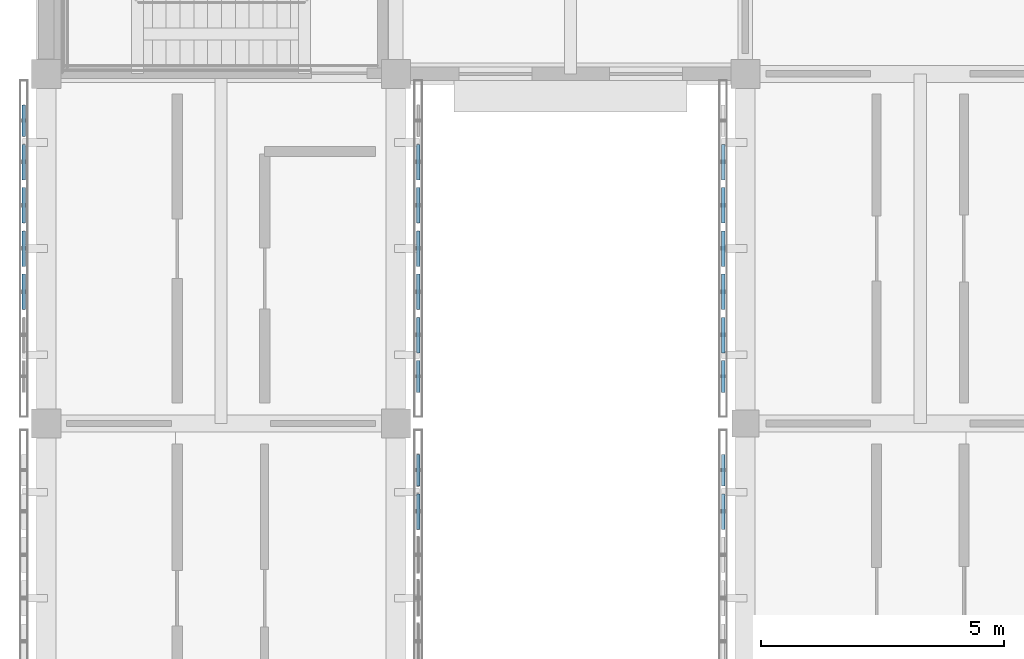
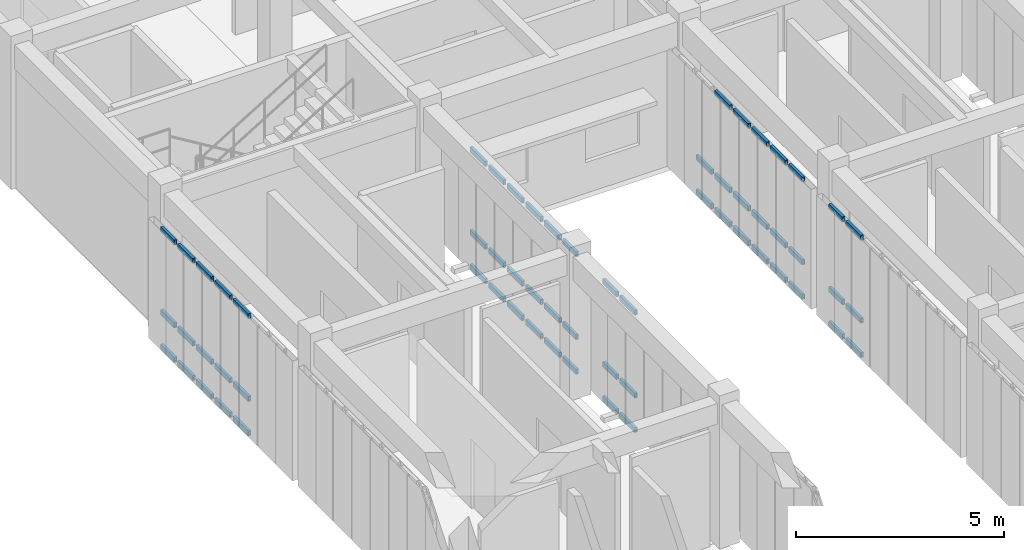
# One storey, part 72 of 171: 62 members, 5 elements without a shape of their own.
"""IFC4 building model written with IfcOpenShell, lengths in metres."""

from ifc_helpers import new_model, si_unit, direction, frame, origin, origin_2d, place, context, subcontext, project, spatial, hollow_rectangle, extrude, material, material_profile, profile_set, type_object, element, aggregate, save


model = new_model("IFC4")

# Units and contexts
model_context = context("Model", 3, precision=1e-05, world=origin(), true_north=direction((0.0, 1.0)))
body_context = subcontext(model_context, "Body", "Model", "MODEL_VIEW")
ifc_project = project(units=[si_unit("LENGTHUNIT", "METRE"), si_unit("AREAUNIT", "SQUARE_METRE"), si_unit("VOLUMEUNIT", "CUBIC_METRE"), si_unit("PLANEANGLEUNIT", "RADIAN"), si_unit("MASSUNIT", "GRAM", prefix="KILO")], contexts=[model_context])

# Site, building, storey
site_placement = place(None, origin())
site = spatial("IfcSite", under=ifc_project, at=site_placement, CompositionType="ELEMENT")
building_placement = place(site_placement, origin())
building = spatial("IfcBuilding", under=site, at=building_placement, Name="Aldebral Square Health Centre", CompositionType="ELEMENT")
storey_placement = place(building_placement, frame((0.0, 0.0, 4.5)))
storey = spatial("IfcBuildingStorey", under=building, at=storey_placement, Name="L01", CompositionType="ELEMENT", Elevation=4.5)

# Curtain wall, members
ifc_material_1 = material(Name="Aluminium and low-E solar glass", Category="aluminium")
curtain_wall_type = type_object("IfcCurtainWallType", Name="CW-FIN-SYS", PredefinedType="USERDEFINED", material=ifc_material_1)
curtain_wall_1_placement = place(storey_placement, origin())
curtain_wall_1 = element("IfcCurtainWall", 1, at=curtain_wall_1_placement, inside=storey, type_object=curtain_wall_type, Name="L01 V6 finned curtain wall L01-V6-00-02-E", ObjectType="SOLAR_CURTAIN_WALL", PredefinedType="USERDEFINED")
ifc_material_2 = material(Name="Anodised aluminium transom", Category="aluminium")
ifc_material_profile = material_profile(ifc_material_2, hollow_rectangle(XDim=0.074951171875, YDim=0.14990234375, WallThickness=0.00390625, at=origin_2d()), Name="CWT 75x150x4")
ifc_profile_set = profile_set([ifc_material_profile], Name="Anodised aluminium transom")
member_type = type_object("IfcMemberType", Name="CWT-STD", PredefinedType="USERDEFINED", material=ifc_profile_set)
member_1_placement = place(storey_placement, frame((7.659912109375, 19.417236328125, 0.03759765625), z_axis=(0.0, 1.0, 0.0), x_axis=(-1.0, 0.0, 0.0)))
member_1 = element("IfcMember", 2, at=member_1_placement, type_object=member_type, Name="CW1 transom 6.1", ObjectType="TRANSOM", PredefinedType="USERDEFINED", context=body_context, shape_type="SweptSolid", body=[
    extrude(hollow_rectangle(XDim=0.074951171875, YDim=0.14990234375, WallThickness=0.00390625, at=origin_2d()), origin(), (0.0, 0.0, 1.0), 0.7314453125),
])
member_2_placement = place(storey_placement, frame((7.659912109375, 19.417236328125, 1.050048828125), z_axis=(0.0, 1.0, 0.0), x_axis=(-1.0, 0.0, 0.0)))
member_2 = element("IfcMember", 3, at=member_2_placement, type_object=member_type, Name="CW1 transom 6.2", ObjectType="TRANSOM", PredefinedType="USERDEFINED", context=body_context, shape_type="SweptSolid", body=[
    extrude(hollow_rectangle(XDim=0.074951171875, YDim=0.14990234375, WallThickness=0.00390625, at=origin_2d()), origin(), (0.0, 0.0, 1.0), 0.7314453125),
])
member_3_placement = place(storey_placement, frame((7.659912109375, 19.417236328125, 3.482421875), z_axis=(0.0, 1.0, 0.0), x_axis=(-1.0, 0.0, 0.0)))
member_3 = element("IfcMember", 4, at=member_3_placement, type_object=member_type, Name="CW1 transom 6.3", ObjectType="TRANSOM", PredefinedType="USERDEFINED", context=body_context, shape_type="SweptSolid", body=[
    extrude(hollow_rectangle(XDim=0.074951171875, YDim=0.14990234375, WallThickness=0.00390625, at=origin_2d()), origin(), (0.0, 0.0, 1.0), 0.7314453125),
])
member_4_placement = place(storey_placement, frame((7.659912109375, 20.30859375, 0.03759765625), z_axis=(0.0, 1.0, 0.0), x_axis=(-1.0, 0.0, 0.0)))
member_4 = element("IfcMember", 5, at=member_4_placement, type_object=member_type, Name="CW1 transom 7.1", ObjectType="TRANSOM", PredefinedType="USERDEFINED", context=body_context, shape_type="SweptSolid", body=[
    extrude(hollow_rectangle(XDim=0.074951171875, YDim=0.14990234375, WallThickness=0.00390625, at=origin_2d()), origin(), (0.0, 0.0, 1.0), 0.6513671875),
])
member_5_placement = place(storey_placement, frame((7.659912109375, 20.30859375, 1.050048828125), z_axis=(0.0, 1.0, 0.0), x_axis=(-1.0, 0.0, 0.0)))
member_5 = element("IfcMember", 6, at=member_5_placement, type_object=member_type, Name="CW1 transom 7.2", ObjectType="TRANSOM", PredefinedType="USERDEFINED", context=body_context, shape_type="SweptSolid", body=[
    extrude(hollow_rectangle(XDim=0.074951171875, YDim=0.14990234375, WallThickness=0.00390625, at=origin_2d()), origin(), (0.0, 0.0, 1.0), 0.6513671875),
])
member_6_placement = place(storey_placement, frame((7.659912109375, 20.30859375, 3.482421875), z_axis=(0.0, 1.0, 0.0), x_axis=(-1.0, 0.0, 0.0)))
member_6 = element("IfcMember", 7, at=member_6_placement, type_object=member_type, Name="CW1 transom 7.3", ObjectType="TRANSOM", PredefinedType="USERDEFINED", context=body_context, shape_type="SweptSolid", body=[
    extrude(hollow_rectangle(XDim=0.074951171875, YDim=0.14990234375, WallThickness=0.00390625, at=origin_2d()), origin(), (0.0, 0.0, 1.0), 0.6513671875),
])
aggregate(curtain_wall_1, [member_1, member_2, member_3, member_4, member_5, member_6])

curtain_wall_2_placement = place(storey_placement, origin())
curtain_wall_2 = element("IfcCurtainWall", 8, at=curtain_wall_2_placement, inside=storey, type_object=curtain_wall_type, Name="L01 V6 finned curtain wall L01-V6-00-03-W", ObjectType="SOLAR_CURTAIN_WALL", PredefinedType="USERDEFINED")
member_7_placement = place(storey_placement, frame((-0.4599609375, 28.159912109375, 0.03759765625), z_axis=(0.0, -1.0, 0.0), x_axis=(1.0, 0.0, 0.0)))
member_7 = element("IfcMember", 9, at=member_7_placement, type_object=member_type, Name="CW1 transom 1.1", ObjectType="TRANSOM", PredefinedType="USERDEFINED", context=body_context, shape_type="SweptSolid", body=[
    extrude(hollow_rectangle(XDim=0.074951171875, YDim=0.14990234375, WallThickness=0.00390625, at=origin_2d()), origin(), (0.0, 0.0, 1.0), 0.6513671875),
])
member_8_placement = place(storey_placement, frame((-0.4599609375, 28.159912109375, 1.050048828125), z_axis=(0.0, -1.0, 0.0), x_axis=(1.0, 0.0, 0.0)))
member_8 = element("IfcMember", 10, at=member_8_placement, type_object=member_type, Name="CW1 transom 1.2", ObjectType="TRANSOM", PredefinedType="USERDEFINED", context=body_context, shape_type="SweptSolid", body=[
    extrude(hollow_rectangle(XDim=0.074951171875, YDim=0.14990234375, WallThickness=0.00390625, at=origin_2d()), origin(), (0.0, 0.0, 1.0), 0.6513671875),
])
member_9_placement = place(storey_placement, frame((-0.4599609375, 28.159912109375, 3.482421875), z_axis=(0.0, -1.0, 0.0), x_axis=(1.0, 0.0, 0.0)))
member_9 = element("IfcMember", 11, at=member_9_placement, type_object=member_type, Name="CW1 transom 1.3", ObjectType="TRANSOM", PredefinedType="USERDEFINED", context=body_context, shape_type="SweptSolid", body=[
    extrude(hollow_rectangle(XDim=0.074951171875, YDim=0.14990234375, WallThickness=0.00390625, at=origin_2d()), origin(), (0.0, 0.0, 1.0), 0.6513671875),
])
member_10_placement = place(storey_placement, frame((-0.4599609375, 27.3486328125, 0.03759765625), z_axis=(0.0, -1.0, 0.0), x_axis=(1.0, 0.0, 0.0)))
member_10 = element("IfcMember", 12, at=member_10_placement, type_object=member_type, Name="CW1 transom 2.1", ObjectType="TRANSOM", PredefinedType="USERDEFINED", context=body_context, shape_type="SweptSolid", body=[
    extrude(hollow_rectangle(XDim=0.074951171875, YDim=0.14990234375, WallThickness=0.00390625, at=origin_2d()), origin(), (0.0, 0.0, 1.0), 0.7314453125),
])
member_11_placement = place(storey_placement, frame((-0.4599609375, 27.3486328125, 1.050048828125), z_axis=(0.0, -1.0, 0.0), x_axis=(1.0, 0.0, 0.0)))
member_11 = element("IfcMember", 13, at=member_11_placement, type_object=member_type, Name="CW1 transom 2.2", ObjectType="TRANSOM", PredefinedType="USERDEFINED", context=body_context, shape_type="SweptSolid", body=[
    extrude(hollow_rectangle(XDim=0.074951171875, YDim=0.14990234375, WallThickness=0.00390625, at=origin_2d()), origin(), (0.0, 0.0, 1.0), 0.7314453125),
])
member_12_placement = place(storey_placement, frame((-0.4599609375, 27.3486328125, 3.482421875), z_axis=(0.0, -1.0, 0.0), x_axis=(1.0, 0.0, 0.0)))
member_12 = element("IfcMember", 14, at=member_12_placement, type_object=member_type, Name="CW1 transom 2.3", ObjectType="TRANSOM", PredefinedType="USERDEFINED", context=body_context, shape_type="SweptSolid", body=[
    extrude(hollow_rectangle(XDim=0.074951171875, YDim=0.14990234375, WallThickness=0.00390625, at=origin_2d()), origin(), (0.0, 0.0, 1.0), 0.7314453125),
])
member_13_placement = place(storey_placement, frame((-0.4599609375, 26.45703125, 0.03759765625), z_axis=(0.0, -1.0, 0.0), x_axis=(1.0, 0.0, 0.0)))
member_13 = element("IfcMember", 15, at=member_13_placement, type_object=member_type, Name="CW1 transom 3.1", ObjectType="TRANSOM", PredefinedType="USERDEFINED", context=body_context, shape_type="SweptSolid", body=[
    extrude(hollow_rectangle(XDim=0.074951171875, YDim=0.14990234375, WallThickness=0.00390625, at=origin_2d()), origin(), (0.0, 0.0, 1.0), 0.731201171875),
])
member_14_placement = place(storey_placement, frame((-0.4599609375, 26.45703125, 1.050048828125), z_axis=(0.0, -1.0, 0.0), x_axis=(1.0, 0.0, 0.0)))
member_14 = element("IfcMember", 16, at=member_14_placement, type_object=member_type, Name="CW1 transom 3.2", ObjectType="TRANSOM", PredefinedType="USERDEFINED", context=body_context, shape_type="SweptSolid", body=[
    extrude(hollow_rectangle(XDim=0.074951171875, YDim=0.14990234375, WallThickness=0.00390625, at=origin_2d()), origin(), (0.0, 0.0, 1.0), 0.731201171875),
])
member_15_placement = place(storey_placement, frame((-0.4599609375, 26.45703125, 3.482421875), z_axis=(0.0, -1.0, 0.0), x_axis=(1.0, 0.0, 0.0)))
member_15 = element("IfcMember", 17, at=member_15_placement, type_object=member_type, Name="CW1 transom 3.3", ObjectType="TRANSOM", PredefinedType="USERDEFINED", context=body_context, shape_type="SweptSolid", body=[
    extrude(hollow_rectangle(XDim=0.074951171875, YDim=0.14990234375, WallThickness=0.00390625, at=origin_2d()), origin(), (0.0, 0.0, 1.0), 0.731201171875),
])
member_16_placement = place(storey_placement, frame((-0.4599609375, 25.565673828125, 0.03759765625), z_axis=(0.0, -1.0, 0.0), x_axis=(1.0, 0.0, 0.0)))
member_16 = element("IfcMember", 18, at=member_16_placement, type_object=member_type, Name="CW1 transom 4.1", ObjectType="TRANSOM", PredefinedType="USERDEFINED", context=body_context, shape_type="SweptSolid", body=[
    extrude(hollow_rectangle(XDim=0.074951171875, YDim=0.14990234375, WallThickness=0.00390625, at=origin_2d()), origin(), (0.0, 0.0, 1.0), 0.7314453125),
])
member_17_placement = place(storey_placement, frame((-0.4599609375, 25.565673828125, 1.050048828125), z_axis=(0.0, -1.0, 0.0), x_axis=(1.0, 0.0, 0.0)))
member_17 = element("IfcMember", 19, at=member_17_placement, type_object=member_type, Name="CW1 transom 4.2", ObjectType="TRANSOM", PredefinedType="USERDEFINED", context=body_context, shape_type="SweptSolid", body=[
    extrude(hollow_rectangle(XDim=0.074951171875, YDim=0.14990234375, WallThickness=0.00390625, at=origin_2d()), origin(), (0.0, 0.0, 1.0), 0.7314453125),
])
member_18_placement = place(storey_placement, frame((-0.4599609375, 25.565673828125, 3.482421875), z_axis=(0.0, -1.0, 0.0), x_axis=(1.0, 0.0, 0.0)))
member_18 = element("IfcMember", 20, at=member_18_placement, type_object=member_type, Name="CW1 transom 4.3", ObjectType="TRANSOM", PredefinedType="USERDEFINED", context=body_context, shape_type="SweptSolid", body=[
    extrude(hollow_rectangle(XDim=0.074951171875, YDim=0.14990234375, WallThickness=0.00390625, at=origin_2d()), origin(), (0.0, 0.0, 1.0), 0.7314453125),
])
member_19_placement = place(storey_placement, frame((-0.4599609375, 24.67431640625, 0.03759765625), z_axis=(0.0, -1.0, 0.0), x_axis=(1.0, 0.0, 0.0)))
member_19 = element("IfcMember", 21, at=member_19_placement, type_object=member_type, Name="CW1 transom 5.1", ObjectType="TRANSOM", PredefinedType="USERDEFINED", context=body_context, shape_type="SweptSolid", body=[
    extrude(hollow_rectangle(XDim=0.074951171875, YDim=0.14990234375, WallThickness=0.00390625, at=origin_2d()), origin(), (0.0, 0.0, 1.0), 0.7314453125),
])
member_20_placement = place(storey_placement, frame((-0.4599609375, 24.67431640625, 1.050048828125), z_axis=(0.0, -1.0, 0.0), x_axis=(1.0, 0.0, 0.0)))
member_20 = element("IfcMember", 22, at=member_20_placement, type_object=member_type, Name="CW1 transom 5.2", ObjectType="TRANSOM", PredefinedType="USERDEFINED", context=body_context, shape_type="SweptSolid", body=[
    extrude(hollow_rectangle(XDim=0.074951171875, YDim=0.14990234375, WallThickness=0.00390625, at=origin_2d()), origin(), (0.0, 0.0, 1.0), 0.7314453125),
])
member_21_placement = place(storey_placement, frame((-0.4599609375, 24.67431640625, 3.482421875), z_axis=(0.0, -1.0, 0.0), x_axis=(1.0, 0.0, 0.0)))
member_21 = element("IfcMember", 23, at=member_21_placement, type_object=member_type, Name="CW1 transom 5.3", ObjectType="TRANSOM", PredefinedType="USERDEFINED", context=body_context, shape_type="SweptSolid", body=[
    extrude(hollow_rectangle(XDim=0.074951171875, YDim=0.14990234375, WallThickness=0.00390625, at=origin_2d()), origin(), (0.0, 0.0, 1.0), 0.7314453125),
])
aggregate(curtain_wall_2, [member_7, member_8, member_9, member_10, member_11, member_12, member_13, member_14, member_15, member_16, member_17, member_18, member_19, member_20, member_21])

curtain_wall_3_placement = place(storey_placement, origin())
curtain_wall_3 = element("IfcCurtainWall", 24, at=curtain_wall_3_placement, inside=storey, type_object=curtain_wall_type, Name="L01 V6 finned curtain wall L01-V6-00-03-E", ObjectType="SOLAR_CURTAIN_WALL", PredefinedType="USERDEFINED")
member_22_placement = place(storey_placement, frame((7.659912109375, 22.239990234375, 0.03759765625), z_axis=(0.0, 1.0, 0.0), x_axis=(-1.0, 0.0, 0.0)))
member_22 = element("IfcMember", 25, at=member_22_placement, type_object=member_type, Name="CW1 transom 1.1", ObjectType="TRANSOM", PredefinedType="USERDEFINED", context=body_context, shape_type="SweptSolid", body=[
    extrude(hollow_rectangle(XDim=0.074951171875, YDim=0.14990234375, WallThickness=0.00390625, at=origin_2d()), origin(), (0.0, 0.0, 1.0), 0.6513671875),
])
member_23_placement = place(storey_placement, frame((7.659912109375, 22.239990234375, 1.050048828125), z_axis=(0.0, 1.0, 0.0), x_axis=(-1.0, 0.0, 0.0)))
member_23 = element("IfcMember", 26, at=member_23_placement, type_object=member_type, Name="CW1 transom 1.2", ObjectType="TRANSOM", PredefinedType="USERDEFINED", context=body_context, shape_type="SweptSolid", body=[
    extrude(hollow_rectangle(XDim=0.074951171875, YDim=0.14990234375, WallThickness=0.00390625, at=origin_2d()), origin(), (0.0, 0.0, 1.0), 0.6513671875),
])
member_24_placement = place(storey_placement, frame((7.659912109375, 22.239990234375, 3.482421875), z_axis=(0.0, 1.0, 0.0), x_axis=(-1.0, 0.0, 0.0)))
member_24 = element("IfcMember", 27, at=member_24_placement, type_object=member_type, Name="CW1 transom 1.3", ObjectType="TRANSOM", PredefinedType="USERDEFINED", context=body_context, shape_type="SweptSolid", body=[
    extrude(hollow_rectangle(XDim=0.074951171875, YDim=0.14990234375, WallThickness=0.00390625, at=origin_2d()), origin(), (0.0, 0.0, 1.0), 0.6513671875),
])
member_25_placement = place(storey_placement, frame((7.659912109375, 23.051513671875, 0.03759765625), z_axis=(0.0, 1.0, 0.0), x_axis=(-1.0, 0.0, 0.0)))
member_25 = element("IfcMember", 28, at=member_25_placement, type_object=member_type, Name="CW1 transom 2.1", ObjectType="TRANSOM", PredefinedType="USERDEFINED", context=body_context, shape_type="SweptSolid", body=[
    extrude(hollow_rectangle(XDim=0.074951171875, YDim=0.14990234375, WallThickness=0.00390625, at=origin_2d()), origin(), (0.0, 0.0, 1.0), 0.7314453125),
])
member_26_placement = place(storey_placement, frame((7.659912109375, 23.051513671875, 1.050048828125), z_axis=(0.0, 1.0, 0.0), x_axis=(-1.0, 0.0, 0.0)))
member_26 = element("IfcMember", 29, at=member_26_placement, type_object=member_type, Name="CW1 transom 2.2", ObjectType="TRANSOM", PredefinedType="USERDEFINED", context=body_context, shape_type="SweptSolid", body=[
    extrude(hollow_rectangle(XDim=0.074951171875, YDim=0.14990234375, WallThickness=0.00390625, at=origin_2d()), origin(), (0.0, 0.0, 1.0), 0.7314453125),
])
member_27_placement = place(storey_placement, frame((7.659912109375, 23.051513671875, 3.482421875), z_axis=(0.0, 1.0, 0.0), x_axis=(-1.0, 0.0, 0.0)))
member_27 = element("IfcMember", 30, at=member_27_placement, type_object=member_type, Name="CW1 transom 2.3", ObjectType="TRANSOM", PredefinedType="USERDEFINED", context=body_context, shape_type="SweptSolid", body=[
    extrude(hollow_rectangle(XDim=0.074951171875, YDim=0.14990234375, WallThickness=0.00390625, at=origin_2d()), origin(), (0.0, 0.0, 1.0), 0.7314453125),
])
member_28_placement = place(storey_placement, frame((7.659912109375, 23.94287109375, 0.03759765625), z_axis=(0.0, 1.0, 0.0), x_axis=(-1.0, 0.0, 0.0)))
member_28 = element("IfcMember", 31, at=member_28_placement, type_object=member_type, Name="CW1 transom 3.1", ObjectType="TRANSOM", PredefinedType="USERDEFINED", context=body_context, shape_type="SweptSolid", body=[
    extrude(hollow_rectangle(XDim=0.074951171875, YDim=0.14990234375, WallThickness=0.00390625, at=origin_2d()), origin(), (0.0, 0.0, 1.0), 0.7314453125),
])
member_29_placement = place(storey_placement, frame((7.659912109375, 23.94287109375, 1.050048828125), z_axis=(0.0, 1.0, 0.0), x_axis=(-1.0, 0.0, 0.0)))
member_29 = element("IfcMember", 32, at=member_29_placement, type_object=member_type, Name="CW1 transom 3.2", ObjectType="TRANSOM", PredefinedType="USERDEFINED", context=body_context, shape_type="SweptSolid", body=[
    extrude(hollow_rectangle(XDim=0.074951171875, YDim=0.14990234375, WallThickness=0.00390625, at=origin_2d()), origin(), (0.0, 0.0, 1.0), 0.7314453125),
])
member_30_placement = place(storey_placement, frame((7.659912109375, 23.94287109375, 3.482421875), z_axis=(0.0, 1.0, 0.0), x_axis=(-1.0, 0.0, 0.0)))
member_30 = element("IfcMember", 33, at=member_30_placement, type_object=member_type, Name="CW1 transom 3.3", ObjectType="TRANSOM", PredefinedType="USERDEFINED", context=body_context, shape_type="SweptSolid", body=[
    extrude(hollow_rectangle(XDim=0.074951171875, YDim=0.14990234375, WallThickness=0.00390625, at=origin_2d()), origin(), (0.0, 0.0, 1.0), 0.7314453125),
])
member_31_placement = place(storey_placement, frame((7.659912109375, 24.834228515625, 0.03759765625), z_axis=(0.0, 1.0, 0.0), x_axis=(-1.0, 0.0, 0.0)))
member_31 = element("IfcMember", 34, at=member_31_placement, type_object=member_type, Name="CW1 transom 4.1", ObjectType="TRANSOM", PredefinedType="USERDEFINED", context=body_context, shape_type="SweptSolid", body=[
    extrude(hollow_rectangle(XDim=0.074951171875, YDim=0.14990234375, WallThickness=0.00390625, at=origin_2d()), origin(), (0.0, 0.0, 1.0), 0.7314453125),
])
member_32_placement = place(storey_placement, frame((7.659912109375, 24.834228515625, 1.050048828125), z_axis=(0.0, 1.0, 0.0), x_axis=(-1.0, 0.0, 0.0)))
member_32 = element("IfcMember", 35, at=member_32_placement, type_object=member_type, Name="CW1 transom 4.2", ObjectType="TRANSOM", PredefinedType="USERDEFINED", context=body_context, shape_type="SweptSolid", body=[
    extrude(hollow_rectangle(XDim=0.074951171875, YDim=0.14990234375, WallThickness=0.00390625, at=origin_2d()), origin(), (0.0, 0.0, 1.0), 0.7314453125),
])
member_33_placement = place(storey_placement, frame((7.659912109375, 24.834228515625, 3.482421875), z_axis=(0.0, 1.0, 0.0), x_axis=(-1.0, 0.0, 0.0)))
member_33 = element("IfcMember", 36, at=member_33_placement, type_object=member_type, Name="CW1 transom 4.3", ObjectType="TRANSOM", PredefinedType="USERDEFINED", context=body_context, shape_type="SweptSolid", body=[
    extrude(hollow_rectangle(XDim=0.074951171875, YDim=0.14990234375, WallThickness=0.00390625, at=origin_2d()), origin(), (0.0, 0.0, 1.0), 0.7314453125),
])
member_34_placement = place(storey_placement, frame((7.659912109375, 25.725830078125, 0.03759765625), z_axis=(0.0, 1.0, 0.0), x_axis=(-1.0, 0.0, 0.0)))
member_34 = element("IfcMember", 37, at=member_34_placement, type_object=member_type, Name="CW1 transom 5.1", ObjectType="TRANSOM", PredefinedType="USERDEFINED", context=body_context, shape_type="SweptSolid", body=[
    extrude(hollow_rectangle(XDim=0.074951171875, YDim=0.14990234375, WallThickness=0.00390625, at=origin_2d()), origin(), (0.0, 0.0, 1.0), 0.731201171875),
])
member_35_placement = place(storey_placement, frame((7.659912109375, 25.725830078125, 1.050048828125), z_axis=(0.0, 1.0, 0.0), x_axis=(-1.0, 0.0, 0.0)))
member_35 = element("IfcMember", 38, at=member_35_placement, type_object=member_type, Name="CW1 transom 5.2", ObjectType="TRANSOM", PredefinedType="USERDEFINED", context=body_context, shape_type="SweptSolid", body=[
    extrude(hollow_rectangle(XDim=0.074951171875, YDim=0.14990234375, WallThickness=0.00390625, at=origin_2d()), origin(), (0.0, 0.0, 1.0), 0.731201171875),
])
member_36_placement = place(storey_placement, frame((7.659912109375, 25.725830078125, 3.482421875), z_axis=(0.0, 1.0, 0.0), x_axis=(-1.0, 0.0, 0.0)))
member_36 = element("IfcMember", 39, at=member_36_placement, type_object=member_type, Name="CW1 transom 5.3", ObjectType="TRANSOM", PredefinedType="USERDEFINED", context=body_context, shape_type="SweptSolid", body=[
    extrude(hollow_rectangle(XDim=0.074951171875, YDim=0.14990234375, WallThickness=0.00390625, at=origin_2d()), origin(), (0.0, 0.0, 1.0), 0.731201171875),
])
member_37_placement = place(storey_placement, frame((7.659912109375, 26.6171875, 0.03759765625), z_axis=(0.0, 1.0, 0.0), x_axis=(-1.0, 0.0, 0.0)))
member_37 = element("IfcMember", 40, at=member_37_placement, type_object=member_type, Name="CW1 transom 6.1", ObjectType="TRANSOM", PredefinedType="USERDEFINED", context=body_context, shape_type="SweptSolid", body=[
    extrude(hollow_rectangle(XDim=0.074951171875, YDim=0.14990234375, WallThickness=0.00390625, at=origin_2d()), origin(), (0.0, 0.0, 1.0), 0.7314453125),
])
member_38_placement = place(storey_placement, frame((7.659912109375, 26.6171875, 1.050048828125), z_axis=(0.0, 1.0, 0.0), x_axis=(-1.0, 0.0, 0.0)))
member_38 = element("IfcMember", 41, at=member_38_placement, type_object=member_type, Name="CW1 transom 6.2", ObjectType="TRANSOM", PredefinedType="USERDEFINED", context=body_context, shape_type="SweptSolid", body=[
    extrude(hollow_rectangle(XDim=0.074951171875, YDim=0.14990234375, WallThickness=0.00390625, at=origin_2d()), origin(), (0.0, 0.0, 1.0), 0.7314453125),
])
member_39_placement = place(storey_placement, frame((7.659912109375, 26.6171875, 3.482421875), z_axis=(0.0, 1.0, 0.0), x_axis=(-1.0, 0.0, 0.0)))
member_39 = element("IfcMember", 42, at=member_39_placement, type_object=member_type, Name="CW1 transom 6.3", ObjectType="TRANSOM", PredefinedType="USERDEFINED", context=body_context, shape_type="SweptSolid", body=[
    extrude(hollow_rectangle(XDim=0.074951171875, YDim=0.14990234375, WallThickness=0.00390625, at=origin_2d()), origin(), (0.0, 0.0, 1.0), 0.7314453125),
])
aggregate(curtain_wall_3, [member_22, member_23, member_24, member_25, member_26, member_27, member_28, member_29, member_30, member_31, member_32, member_33, member_34, member_35, member_36, member_37, member_38, member_39])

curtain_wall_4_placement = place(storey_placement, origin())
curtain_wall_4 = element("IfcCurtainWall", 43, at=curtain_wall_4_placement, inside=storey, type_object=curtain_wall_type, Name="L01 V6 finned curtain wall L01-V6-02-02-W", ObjectType="SOLAR_CURTAIN_WALL", PredefinedType="USERDEFINED")
member_40_placement = place(storey_placement, frame((13.93994140625, 20.9599609375, 0.03759765625), z_axis=(0.0, -1.0, 0.0), x_axis=(1.0, 0.0, 0.0)))
member_40 = element("IfcMember", 44, at=member_40_placement, type_object=member_type, Name="CW1 transom 1.1", ObjectType="TRANSOM", PredefinedType="USERDEFINED", context=body_context, shape_type="SweptSolid", body=[
    extrude(hollow_rectangle(XDim=0.074951171875, YDim=0.14990234375, WallThickness=0.00390625, at=origin_2d()), origin(), (0.0, 0.0, 1.0), 0.6513671875),
])
member_41_placement = place(storey_placement, frame((13.93994140625, 20.9599609375, 1.050048828125), z_axis=(0.0, -1.0, 0.0), x_axis=(1.0, 0.0, 0.0)))
member_41 = element("IfcMember", 45, at=member_41_placement, type_object=member_type, Name="CW1 transom 1.2", ObjectType="TRANSOM", PredefinedType="USERDEFINED", context=body_context, shape_type="SweptSolid", body=[
    extrude(hollow_rectangle(XDim=0.074951171875, YDim=0.14990234375, WallThickness=0.00390625, at=origin_2d()), origin(), (0.0, 0.0, 1.0), 0.6513671875),
])
member_42_placement = place(storey_placement, frame((13.93994140625, 20.9599609375, 3.482421875), z_axis=(0.0, -1.0, 0.0), x_axis=(1.0, 0.0, 0.0)))
member_42 = element("IfcMember", 46, at=member_42_placement, type_object=member_type, Name="CW1 transom 1.3", ObjectType="TRANSOM", PredefinedType="USERDEFINED", context=body_context, shape_type="SweptSolid", body=[
    extrude(hollow_rectangle(XDim=0.074951171875, YDim=0.14990234375, WallThickness=0.00390625, at=origin_2d()), origin(), (0.0, 0.0, 1.0), 0.6513671875),
])
member_43_placement = place(storey_placement, frame((13.93994140625, 20.148681640625, 0.03759765625), z_axis=(0.0, -1.0, 0.0), x_axis=(1.0, 0.0, 0.0)))
member_43 = element("IfcMember", 47, at=member_43_placement, type_object=member_type, Name="CW1 transom 2.1", ObjectType="TRANSOM", PredefinedType="USERDEFINED", context=body_context, shape_type="SweptSolid", body=[
    extrude(hollow_rectangle(XDim=0.074951171875, YDim=0.14990234375, WallThickness=0.00390625, at=origin_2d()), origin(), (0.0, 0.0, 1.0), 0.7314453125),
])
member_44_placement = place(storey_placement, frame((13.93994140625, 20.148681640625, 1.050048828125), z_axis=(0.0, -1.0, 0.0), x_axis=(1.0, 0.0, 0.0)))
member_44 = element("IfcMember", 48, at=member_44_placement, type_object=member_type, Name="CW1 transom 2.2", ObjectType="TRANSOM", PredefinedType="USERDEFINED", context=body_context, shape_type="SweptSolid", body=[
    extrude(hollow_rectangle(XDim=0.074951171875, YDim=0.14990234375, WallThickness=0.00390625, at=origin_2d()), origin(), (0.0, 0.0, 1.0), 0.7314453125),
])
member_45_placement = place(storey_placement, frame((13.93994140625, 20.148681640625, 3.482421875), z_axis=(0.0, -1.0, 0.0), x_axis=(1.0, 0.0, 0.0)))
member_45 = element("IfcMember", 49, at=member_45_placement, type_object=member_type, Name="CW1 transom 2.3", ObjectType="TRANSOM", PredefinedType="USERDEFINED", context=body_context, shape_type="SweptSolid", body=[
    extrude(hollow_rectangle(XDim=0.074951171875, YDim=0.14990234375, WallThickness=0.00390625, at=origin_2d()), origin(), (0.0, 0.0, 1.0), 0.7314453125),
])
aggregate(curtain_wall_4, [member_40, member_41, member_42, member_43, member_44, member_45])

curtain_wall_5_placement = place(storey_placement, origin())
curtain_wall_5 = element("IfcCurtainWall", 50, at=curtain_wall_5_placement, inside=storey, type_object=curtain_wall_type, Name="L01 V6 finned curtain wall L01-V6-02-03-W", ObjectType="SOLAR_CURTAIN_WALL", PredefinedType="USERDEFINED")
member_46_placement = place(storey_placement, frame((13.93994140625, 27.3486328125, 0.03759765625), z_axis=(0.0, -1.0, 0.0), x_axis=(1.0, 0.0, 0.0)))
member_46 = element("IfcMember", 51, at=member_46_placement, type_object=member_type, Name="CW1 transom 2.1", ObjectType="TRANSOM", PredefinedType="USERDEFINED", context=body_context, shape_type="SweptSolid", body=[
    extrude(hollow_rectangle(XDim=0.074951171875, YDim=0.14990234375, WallThickness=0.00390625, at=origin_2d()), origin(), (0.0, 0.0, 1.0), 0.7314453125),
])
member_47_placement = place(storey_placement, frame((13.93994140625, 27.3486328125, 1.050048828125), z_axis=(0.0, -1.0, 0.0), x_axis=(1.0, 0.0, 0.0)))
member_47 = element("IfcMember", 52, at=member_47_placement, type_object=member_type, Name="CW1 transom 2.2", ObjectType="TRANSOM", PredefinedType="USERDEFINED", context=body_context, shape_type="SweptSolid", body=[
    extrude(hollow_rectangle(XDim=0.074951171875, YDim=0.14990234375, WallThickness=0.00390625, at=origin_2d()), origin(), (0.0, 0.0, 1.0), 0.7314453125),
])
member_48_placement = place(storey_placement, frame((13.93994140625, 26.45703125, 0.03759765625), z_axis=(0.0, -1.0, 0.0), x_axis=(1.0, 0.0, 0.0)))
member_48 = element("IfcMember", 53, at=member_48_placement, type_object=member_type, Name="CW1 transom 3.1", ObjectType="TRANSOM", PredefinedType="USERDEFINED", context=body_context, shape_type="SweptSolid", body=[
    extrude(hollow_rectangle(XDim=0.074951171875, YDim=0.14990234375, WallThickness=0.00390625, at=origin_2d()), origin(), (0.0, 0.0, 1.0), 0.731201171875),
])
member_49_placement = place(storey_placement, frame((13.93994140625, 26.45703125, 1.050048828125), z_axis=(0.0, -1.0, 0.0), x_axis=(1.0, 0.0, 0.0)))
member_49 = element("IfcMember", 54, at=member_49_placement, type_object=member_type, Name="CW1 transom 3.2", ObjectType="TRANSOM", PredefinedType="USERDEFINED", context=body_context, shape_type="SweptSolid", body=[
    extrude(hollow_rectangle(XDim=0.074951171875, YDim=0.14990234375, WallThickness=0.00390625, at=origin_2d()), origin(), (0.0, 0.0, 1.0), 0.731201171875),
])
member_50_placement = place(storey_placement, frame((13.93994140625, 26.45703125, 3.482421875), z_axis=(0.0, -1.0, 0.0), x_axis=(1.0, 0.0, 0.0)))
member_50 = element("IfcMember", 55, at=member_50_placement, type_object=member_type, Name="CW1 transom 3.3", ObjectType="TRANSOM", PredefinedType="USERDEFINED", context=body_context, shape_type="SweptSolid", body=[
    extrude(hollow_rectangle(XDim=0.074951171875, YDim=0.14990234375, WallThickness=0.00390625, at=origin_2d()), origin(), (0.0, 0.0, 1.0), 0.731201171875),
])
member_51_placement = place(storey_placement, frame((13.93994140625, 25.565673828125, 0.03759765625), z_axis=(0.0, -1.0, 0.0), x_axis=(1.0, 0.0, 0.0)))
member_51 = element("IfcMember", 56, at=member_51_placement, type_object=member_type, Name="CW1 transom 4.1", ObjectType="TRANSOM", PredefinedType="USERDEFINED", context=body_context, shape_type="SweptSolid", body=[
    extrude(hollow_rectangle(XDim=0.074951171875, YDim=0.14990234375, WallThickness=0.00390625, at=origin_2d()), origin(), (0.0, 0.0, 1.0), 0.7314453125),
])
member_52_placement = place(storey_placement, frame((13.93994140625, 25.565673828125, 1.050048828125), z_axis=(0.0, -1.0, 0.0), x_axis=(1.0, 0.0, 0.0)))
member_52 = element("IfcMember", 57, at=member_52_placement, type_object=member_type, Name="CW1 transom 4.2", ObjectType="TRANSOM", PredefinedType="USERDEFINED", context=body_context, shape_type="SweptSolid", body=[
    extrude(hollow_rectangle(XDim=0.074951171875, YDim=0.14990234375, WallThickness=0.00390625, at=origin_2d()), origin(), (0.0, 0.0, 1.0), 0.7314453125),
])
member_53_placement = place(storey_placement, frame((13.93994140625, 25.565673828125, 3.482421875), z_axis=(0.0, -1.0, 0.0), x_axis=(1.0, 0.0, 0.0)))
member_53 = element("IfcMember", 58, at=member_53_placement, type_object=member_type, Name="CW1 transom 4.3", ObjectType="TRANSOM", PredefinedType="USERDEFINED", context=body_context, shape_type="SweptSolid", body=[
    extrude(hollow_rectangle(XDim=0.074951171875, YDim=0.14990234375, WallThickness=0.00390625, at=origin_2d()), origin(), (0.0, 0.0, 1.0), 0.7314453125),
])
member_54_placement = place(storey_placement, frame((13.93994140625, 24.67431640625, 0.03759765625), z_axis=(0.0, -1.0, 0.0), x_axis=(1.0, 0.0, 0.0)))
member_54 = element("IfcMember", 59, at=member_54_placement, type_object=member_type, Name="CW1 transom 5.1", ObjectType="TRANSOM", PredefinedType="USERDEFINED", context=body_context, shape_type="SweptSolid", body=[
    extrude(hollow_rectangle(XDim=0.074951171875, YDim=0.14990234375, WallThickness=0.00390625, at=origin_2d()), origin(), (0.0, 0.0, 1.0), 0.7314453125),
])
member_55_placement = place(storey_placement, frame((13.93994140625, 24.67431640625, 1.050048828125), z_axis=(0.0, -1.0, 0.0), x_axis=(1.0, 0.0, 0.0)))
member_55 = element("IfcMember", 60, at=member_55_placement, type_object=member_type, Name="CW1 transom 5.2", ObjectType="TRANSOM", PredefinedType="USERDEFINED", context=body_context, shape_type="SweptSolid", body=[
    extrude(hollow_rectangle(XDim=0.074951171875, YDim=0.14990234375, WallThickness=0.00390625, at=origin_2d()), origin(), (0.0, 0.0, 1.0), 0.7314453125),
])
member_56_placement = place(storey_placement, frame((13.93994140625, 24.67431640625, 3.482421875), z_axis=(0.0, -1.0, 0.0), x_axis=(1.0, 0.0, 0.0)))
member_56 = element("IfcMember", 61, at=member_56_placement, type_object=member_type, Name="CW1 transom 5.3", ObjectType="TRANSOM", PredefinedType="USERDEFINED", context=body_context, shape_type="SweptSolid", body=[
    extrude(hollow_rectangle(XDim=0.074951171875, YDim=0.14990234375, WallThickness=0.00390625, at=origin_2d()), origin(), (0.0, 0.0, 1.0), 0.7314453125),
])
member_57_placement = place(storey_placement, frame((13.93994140625, 23.782958984375, 0.03759765625), z_axis=(0.0, -1.0, 0.0), x_axis=(1.0, 0.0, 0.0)))
member_57 = element("IfcMember", 62, at=member_57_placement, type_object=member_type, Name="CW1 transom 6.1", ObjectType="TRANSOM", PredefinedType="USERDEFINED", context=body_context, shape_type="SweptSolid", body=[
    extrude(hollow_rectangle(XDim=0.074951171875, YDim=0.14990234375, WallThickness=0.00390625, at=origin_2d()), origin(), (0.0, 0.0, 1.0), 0.7314453125),
])
member_58_placement = place(storey_placement, frame((13.93994140625, 23.782958984375, 1.050048828125), z_axis=(0.0, -1.0, 0.0), x_axis=(1.0, 0.0, 0.0)))
member_58 = element("IfcMember", 63, at=member_58_placement, type_object=member_type, Name="CW1 transom 6.2", ObjectType="TRANSOM", PredefinedType="USERDEFINED", context=body_context, shape_type="SweptSolid", body=[
    extrude(hollow_rectangle(XDim=0.074951171875, YDim=0.14990234375, WallThickness=0.00390625, at=origin_2d()), origin(), (0.0, 0.0, 1.0), 0.7314453125),
])
member_59_placement = place(storey_placement, frame((13.93994140625, 23.782958984375, 3.482421875), z_axis=(0.0, -1.0, 0.0), x_axis=(1.0, 0.0, 0.0)))
member_59 = element("IfcMember", 64, at=member_59_placement, type_object=member_type, Name="CW1 transom 6.3", ObjectType="TRANSOM", PredefinedType="USERDEFINED", context=body_context, shape_type="SweptSolid", body=[
    extrude(hollow_rectangle(XDim=0.074951171875, YDim=0.14990234375, WallThickness=0.00390625, at=origin_2d()), origin(), (0.0, 0.0, 1.0), 0.7314453125),
])
member_60_placement = place(storey_placement, frame((13.93994140625, 22.891357421875, 0.03759765625), z_axis=(0.0, -1.0, 0.0), x_axis=(1.0, 0.0, 0.0)))
member_60 = element("IfcMember", 65, at=member_60_placement, type_object=member_type, Name="CW1 transom 7.1", ObjectType="TRANSOM", PredefinedType="USERDEFINED", context=body_context, shape_type="SweptSolid", body=[
    extrude(hollow_rectangle(XDim=0.074951171875, YDim=0.14990234375, WallThickness=0.00390625, at=origin_2d()), origin(), (0.0, 0.0, 1.0), 0.6513671875),
])
member_61_placement = place(storey_placement, frame((13.93994140625, 22.891357421875, 1.050048828125), z_axis=(0.0, -1.0, 0.0), x_axis=(1.0, 0.0, 0.0)))
member_61 = element("IfcMember", 66, at=member_61_placement, type_object=member_type, Name="CW1 transom 7.2", ObjectType="TRANSOM", PredefinedType="USERDEFINED", context=body_context, shape_type="SweptSolid", body=[
    extrude(hollow_rectangle(XDim=0.074951171875, YDim=0.14990234375, WallThickness=0.00390625, at=origin_2d()), origin(), (0.0, 0.0, 1.0), 0.6513671875),
])
member_62_placement = place(storey_placement, frame((13.93994140625, 22.891357421875, 3.482421875), z_axis=(0.0, -1.0, 0.0), x_axis=(1.0, 0.0, 0.0)))
member_62 = element("IfcMember", 67, at=member_62_placement, type_object=member_type, Name="CW1 transom 7.3", ObjectType="TRANSOM", PredefinedType="USERDEFINED", context=body_context, shape_type="SweptSolid", body=[
    extrude(hollow_rectangle(XDim=0.074951171875, YDim=0.14990234375, WallThickness=0.00390625, at=origin_2d()), origin(), (0.0, 0.0, 1.0), 0.6513671875),
])
aggregate(curtain_wall_5, [member_46, member_47, member_48, member_49, member_50, member_51, member_52, member_53, member_54, member_55, member_56, member_57, member_58, member_59, member_60, member_61, member_62])

save(model, "model.ifc")
